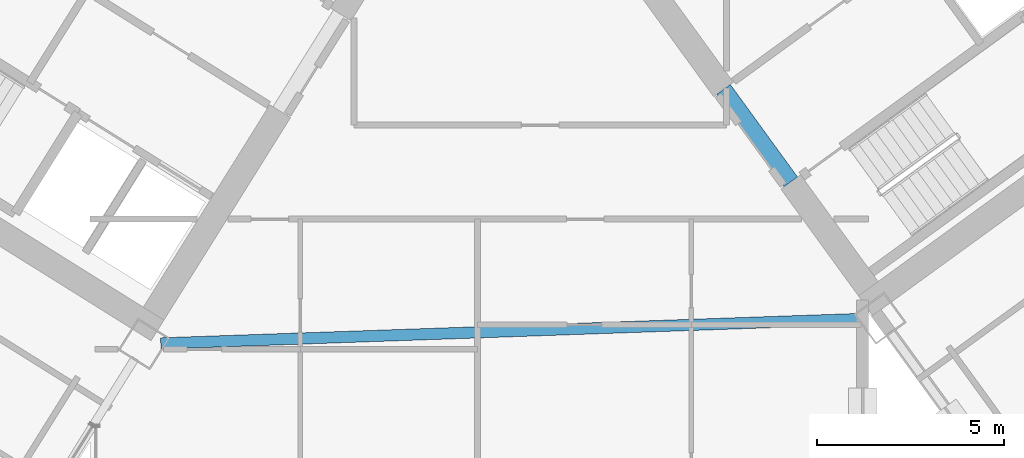
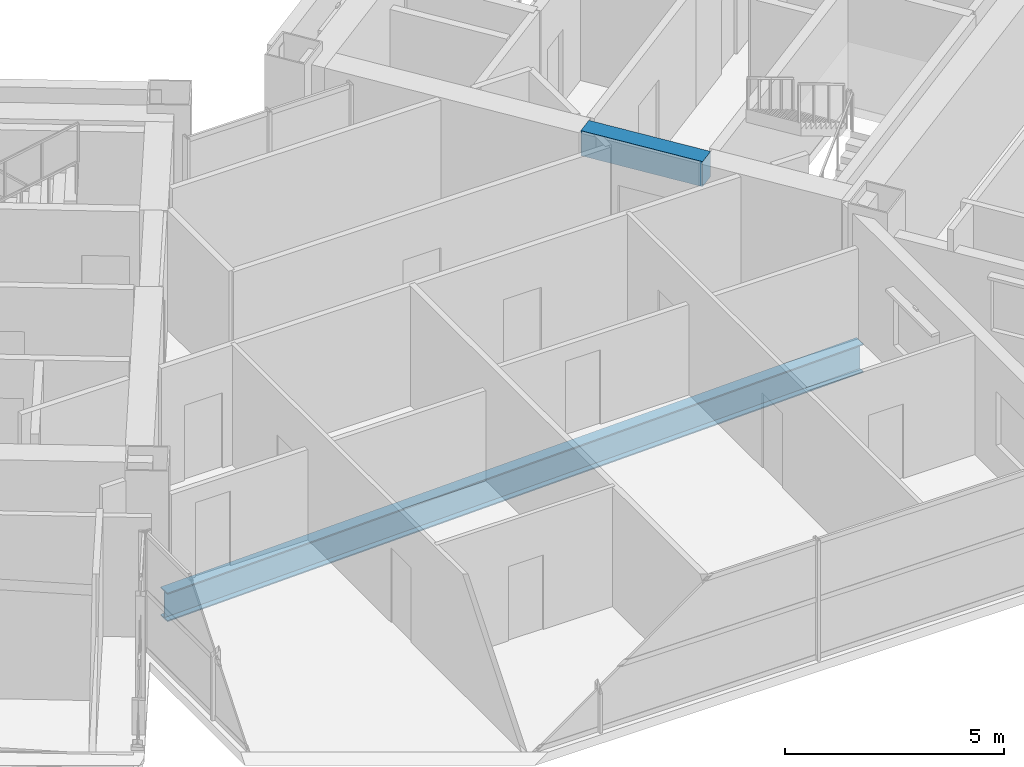
# One storey, part 8 of 24: 2 beams.
"""IFC4 building model written with IfcOpenShell, lengths in metres."""

from ifc_helpers import new_model, si_unit, direction, frame, origin, origin_2d, place, context, subcontext, project, spatial, rectangle, i_section, extrude, source, transform, mapped, material, material_profile, profile_set, type_object, element, save


model = new_model("IFC4")

# Units and contexts
model_context = context("Model", 3, precision=1e-05, world=origin(), true_north=direction((0.0, 1.0)))
body_context = subcontext(model_context, "Body", "Model", "MODEL_VIEW")
ifc_project = project(units=[si_unit("LENGTHUNIT", "METRE"), si_unit("AREAUNIT", "SQUARE_METRE"), si_unit("VOLUMEUNIT", "CUBIC_METRE"), si_unit("PLANEANGLEUNIT", "RADIAN"), si_unit("MASSUNIT", "GRAM", prefix="KILO")], contexts=[model_context])

# Site, building, storey
site_placement = place(None, origin())
site = spatial("IfcSite", under=ifc_project, at=site_placement, CompositionType="ELEMENT")
building_placement = place(site_placement, origin())
building = spatial("IfcBuilding", under=site, at=building_placement, Name="Tlacorven Tower", CompositionType="ELEMENT")
storey_placement = place(building_placement, frame((0.0, 0.0, 31.199951171875)))
storey = spatial("IfcBuildingStorey", under=building, at=storey_placement, Name="L07", CompositionType="ELEMENT", Elevation=31.199951171875)

# Beams
ifc_material_1 = material(Name="Concrete C60/75", Category="concrete")
ifc_material_profile_1 = material_profile(ifc_material_1, rectangle(XDim=0.449951171875, YDim=0.699951171875, at=origin_2d()), Name="RC 450X700")
ifc_profile_set_1 = profile_set([ifc_material_profile_1], Name="Concrete C60/75")
beam_type_1 = type_object("IfcBeamType", Name="BM-LNT-700", PredefinedType="LINTEL", material=ifc_profile_set_1)
shared_shape_1 = source(origin(), body_context, "Body", "SweptSolid", [
    extrude(rectangle(XDim=0.449951171875, YDim=0.699951171875, at=origin_2d()), origin(), (0.0, 0.0, 1.0), 3.050048828125),
])
beam_1_placement = place(storey_placement, frame((50.318359375, 16.416015625, 3.0), z_axis=(-0.587776590479, 0.80902328748, 0.0), x_axis=(-0.80902328748, -0.587776590479, 0.0)))
element("IfcBeam", 1, at=beam_1_placement, inside=storey, type_object=beam_type_1, Name="L07 E core coupling lintel beam E1", PredefinedType="LINTEL", context=body_context, shape_type="MappedRepresentation", body=[
    mapped(shared_shape_1, transform((0.0, 0.0, 0.0), scale=1.0)),
])
ifc_material_2 = material(Name="Steel S355J2", Category="steel")
ifc_material_profile_2 = material_profile(ifc_material_2, i_section(OverallWidth=0.300048828125, OverallDepth=0.800048828125, WebThickness=0.017578125, FlangeThickness=0.032958984375, at=origin_2d()), Name="HEB 800")
ifc_profile_set_2 = profile_set([ifc_material_profile_2], Name="Steel S355J2")
beam_type_2 = type_object("IfcBeamType", Name="BM-POD-800", PredefinedType="BEAM", material=ifc_profile_set_2)
shared_shape_2 = source(origin(), body_context, "Body", "SweptSolid", [
    extrude(i_section(OverallWidth=0.300048828125, OverallDepth=0.800048828125, WebThickness=0.017578125, FlangeThickness=0.032958984375, at=origin_2d()), origin(), (0.0, 0.0, 1.0), 18.771240234375),
])
beam_2_placement = place(storey_placement, frame((33.495849609375, 12.1025390625, -0.64990234375), z_axis=(0.999390514848, 0.034908434954, 0.0), x_axis=(-0.034908434954, 0.999390514848, 0.0)))
element("IfcBeam", 2, at=beam_2_placement, inside=storey, type_object=beam_type_2, Name="L07 Knuckle Link Girder 2", PredefinedType="BEAM", context=body_context, shape_type="MappedRepresentation", body=[
    mapped(shared_shape_2, transform((0.0, 0.0, 0.0), scale=1.0)),
])

save(model, "model.ifc")
